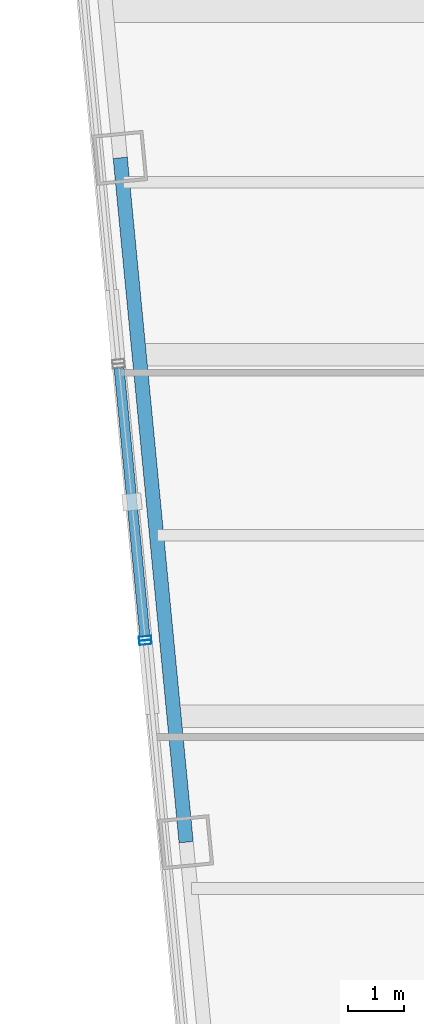
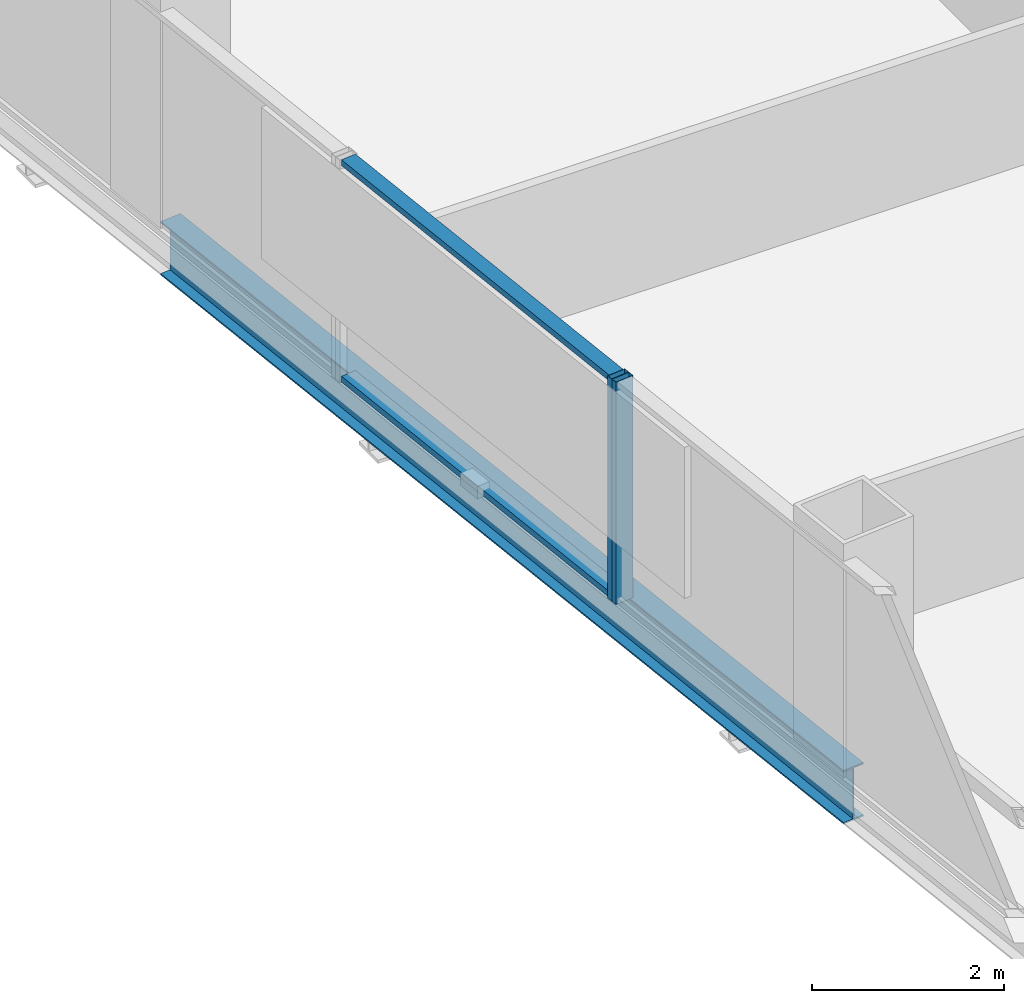
# One storey, part 7 of 32: 4 members, 1 beam, 2 elements without a shape of their own.
"""IFC4 building model written with IfcOpenShell, lengths in metres."""

from ifc_helpers import new_model, si_unit, direction, frame, origin, origin_2d, place, context, subcontext, project, spatial, hollow_rectangle, i_section, extrude, material, layer, layer_set, material_profile, profile_set, type_object, element, aggregate, save


model = new_model("IFC4")

# Units and contexts
model_context = context("Model", 3, precision=1e-05, world=origin(), true_north=direction((0.0, 1.0)))
body_context = subcontext(model_context, "Body", "Model", "MODEL_VIEW")
ifc_project = project(units=[si_unit("LENGTHUNIT", "METRE"), si_unit("AREAUNIT", "SQUARE_METRE"), si_unit("VOLUMEUNIT", "CUBIC_METRE"), si_unit("PLANEANGLEUNIT", "RADIAN"), si_unit("MASSUNIT", "GRAM", prefix="KILO")], contexts=[model_context])

# Site, building, storey
site_placement = place(None, origin())
site = spatial("IfcSite", under=ifc_project, at=site_placement, CompositionType="ELEMENT")
building_placement = place(site_placement, origin())
building = spatial("IfcBuilding", under=site, at=building_placement, Name="Qhalaya Broadcast Tower", CompositionType="ELEMENT")
storey_placement = place(building_placement, frame((0.0, 0.0, 87.75)))
storey = spatial("IfcBuildingStorey", under=building, at=storey_placement, Name="L25", CompositionType="ELEMENT", Elevation=87.75)

# Beam
ifc_material_1 = material(Name="Structural Steel ASTM A992 Grade 50", Category="steel")
ifc_material_profile_1 = material_profile(ifc_material_1, i_section(OverallWidth=0.25390625, OverallDepth=0.68310546875, WebThickness=0.012451171875, FlangeThickness=0.01904296875, at=origin_2d()), Name="W27X94")
ifc_profile_set_1 = profile_set([ifc_material_profile_1], Name="Structural Steel ASTM A992 Grade 50")
beam_type = type_object("IfcBeamType", Name="Perimeter Ring Spandrel Beam SP1", PredefinedType="SPANDREL", material=ifc_profile_set_1)
beam_placement = place(storey_placement, frame((-21.036865234375, 7.335205078125, -0.5615234375), z_axis=(0.095851586307, -0.99539563662, 0.0), x_axis=(0.99539563662, 0.095851586307, 0.0)))
element("IfcBeam", 1, at=beam_placement, inside=storey, type_object=beam_type, Name="L25 SP1 L25-SPR-14", PredefinedType="SPANDREL", context=body_context, shape_type="SweptSolid", body=[
    extrude(i_section(OverallWidth=0.25390625, OverallDepth=0.68310546875, WebThickness=0.012451171875, FlangeThickness=0.01904296875, at=origin_2d()), origin(), (0.0, 0.0, 1.0), 12.2666015625),
])

# Curtain wall, member
ifc_material_2 = material(Name="Solar-Control Low-E Triple Glazing", Category="glass")
ifc_layer_1 = layer(ifc_material_2, 0.219970703125, Name="Solar-Control Low-E Triple Glazing")
ifc_layer_set_1 = layer_set([ifc_layer_1], Name="Solar-Control Low-E Triple Glazing")
curtain_wall_type_1 = type_object("IfcCurtainWallType", Name="Even-Block 4-Storey Double-Module Curtain Wall CW-03", PredefinedType="NOTDEFINED", material=ifc_layer_set_1)
curtain_wall_1_placement = place(storey_placement, origin())
curtain_wall_1 = element("IfcCurtainWall", 2, at=curtain_wall_1_placement, inside=storey, type_object=curtain_wall_type_1, Name="L25 Unitised Curtain Wall L25-CW-W4", PredefinedType="NOTDEFINED")
ifc_material_3 = material(Name="Anodised Aluminium 6063-T6", Category="aluminium")
ifc_material_profile_2 = material_profile(ifc_material_3, hollow_rectangle(XDim=0.074951171875, YDim=0.219970703125, WallThickness=0.00390625, at=origin_2d()), Name="ALU-MUL 75x220x4")
ifc_profile_set_2 = profile_set([ifc_material_profile_2], Name="Anodised Aluminium 6063-T6")
member_type_1 = type_object("IfcMemberType", Name="Unitised Curtain-Wall Mullion M01", PredefinedType="MULLION", material=ifc_profile_set_2)
member_1_placement = place(storey_placement, frame((-20.59326171875, -1.236572265625, 0.0), z_axis=(0.0, 0.0, 1.0), x_axis=(0.095844611292, -0.995396308254, 0.0)))
member_1 = element("IfcMember", 3, at=member_1_placement, type_object=member_type_1, Name="CW-03 mullion 2", PredefinedType="MULLION", context=body_context, shape_type="SweptSolid", body=[
    extrude(hollow_rectangle(XDim=0.074951171875, YDim=0.219970703125, WallThickness=0.00390625, at=origin_2d()), origin(), (0.0, 0.0, 1.0), 2.830078125),
])

ifc_material_4 = material(Name="Fired Architectural Terracotta", Category="masonry")
ifc_layer_2 = layer(ifc_material_4, 0.219970703125, Name="Fired Architectural Terracotta")
ifc_layer_set_2 = layer_set([ifc_layer_2], Name="Fired Architectural Terracotta")
curtain_wall_type_2 = type_object("IfcCurtainWallType", Name="Block-Cap Unitised Terracotta Spandrel Wall CW-07", PredefinedType="NOTDEFINED", material=ifc_layer_set_2)
curtain_wall_2_placement = place(storey_placement, origin())
curtain_wall_2 = element("IfcCurtainWall", 4, at=curtain_wall_2_placement, inside=storey, type_object=curtain_wall_type_2, Name="L25 Unitised Curtain Wall L25-CW-W5", PredefinedType="NOTDEFINED")
member_2_placement = place(storey_placement, frame((-20.586181640625, -1.311279296875, 0.0), z_axis=(0.0, 0.0, 1.0), x_axis=(0.095849092763, -0.995395876733, 0.0)))
member_2 = element("IfcMember", 5, at=member_2_placement, type_object=member_type_1, Name="CW-07 mullion 1", PredefinedType="MULLION", context=body_context, shape_type="SweptSolid", body=[
    extrude(hollow_rectangle(XDim=0.074951171875, YDim=0.219970703125, WallThickness=0.00390625, at=origin_2d()), origin(), (0.0, 0.0, 1.0), 2.830078125),
])
aggregate(curtain_wall_2, [member_2])

# Member
ifc_material_profile_3 = material_profile(ifc_material_3, hollow_rectangle(XDim=0.074951171875, YDim=0.179931640625, WallThickness=0.00390625, at=origin_2d()), Name="ALU-TRN 75x180x4")
ifc_profile_set_3 = profile_set([ifc_material_profile_3], Name="Anodised Aluminium 6063-T6")
member_type_2 = type_object("IfcMemberType", Name="Unitised Curtain-Wall Transom T01", PredefinedType="USERDEFINED", material=ifc_profile_set_3)
member_3_placement = place(storey_placement, frame((-21.0576171875, 3.586669921875, 0.03759765625), z_axis=(0.0958178693, -0.995398882822, 0.0), x_axis=(0.0, 0.0, 1.0)))
member_3 = element("IfcMember", 6, at=member_3_placement, type_object=member_type_2, Name="CW-03 transom 1.1", ObjectType="TRANSOM", PredefinedType="USERDEFINED", context=body_context, shape_type="SweptSolid", body=[
    extrude(hollow_rectangle(XDim=0.074951171875, YDim=0.179931640625, WallThickness=0.00390625, at=origin_2d()), origin(), (0.0, 0.0, 1.0), 4.80810546875),
])

member_4_placement = place(storey_placement, frame((-21.0576171875, 3.586669921875, 2.79248046875), z_axis=(0.0958178693, -0.995398882822, 0.0), x_axis=(0.0, 0.0, 1.0)))
member_4 = element("IfcMember", 7, at=member_4_placement, type_object=member_type_2, Name="CW-03 transom 1.2", ObjectType="TRANSOM", PredefinedType="USERDEFINED", context=body_context, shape_type="SweptSolid", body=[
    extrude(hollow_rectangle(XDim=0.074951171875, YDim=0.179931640625, WallThickness=0.00390625, at=origin_2d()), origin(), (0.0, 0.0, 1.0), 4.80810546875),
])

aggregate(curtain_wall_1, [member_1, member_3, member_4])

save(model, "model.ifc")
